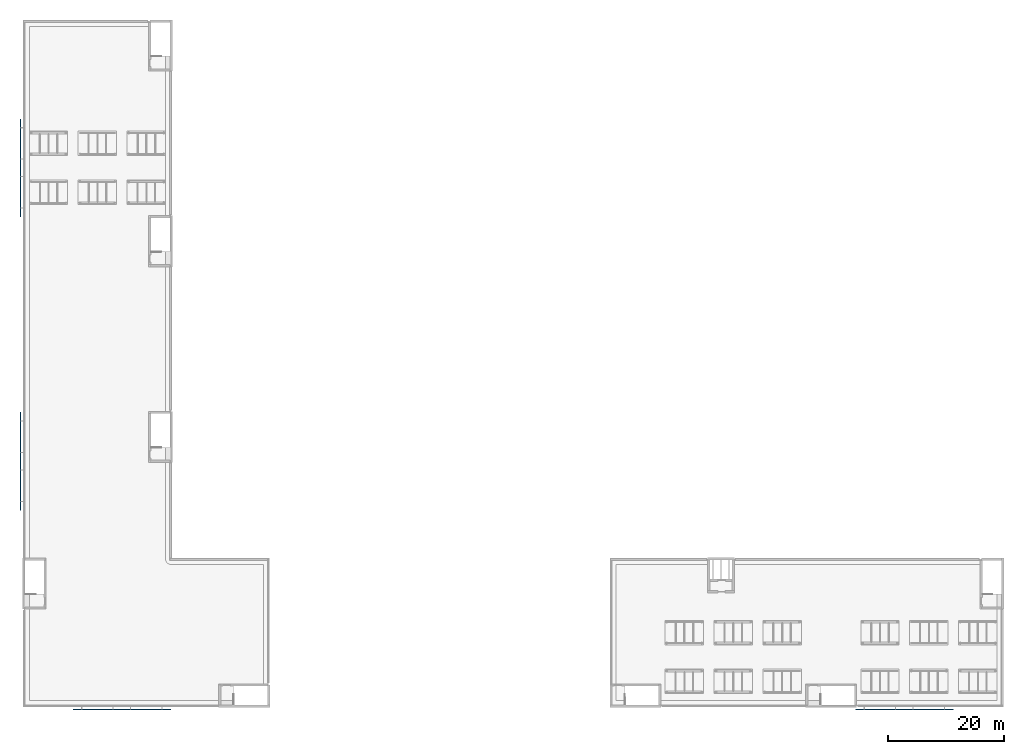
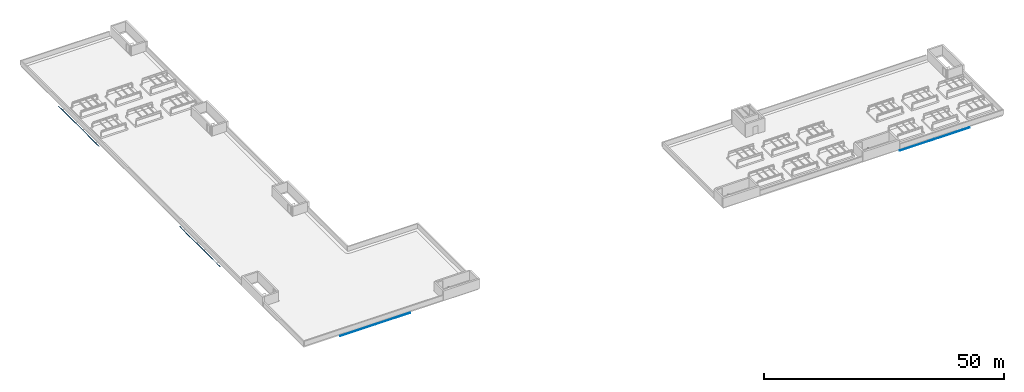
# One storey, part 14 of 18: 8 discrete accessories.
"""IFC4 building model written with IfcOpenShell, lengths in metres."""

from ifc_helpers import new_model, si_unit, direction, frame, origin, origin_2d, place, context, subcontext, project, spatial, hollow_rectangle, extrude, material, material_profile, profile_set, type_object, element, save


model = new_model("IFC4")

# Units and contexts
model_context = context("Model", 3, precision=1e-05, world=origin(), true_north=direction((0.0, 1.0)))
body_context = subcontext(model_context, "Body", "Model", "MODEL_VIEW")
ifc_project = project(units=[si_unit("LENGTHUNIT", "METRE"), si_unit("AREAUNIT", "SQUARE_METRE"), si_unit("VOLUMEUNIT", "CUBIC_METRE"), si_unit("PLANEANGLEUNIT", "RADIAN"), si_unit("MASSUNIT", "GRAM", prefix="KILO")], contexts=[model_context])

# Site, building, storey
site_placement = place(None, origin())
site = spatial("IfcSite", under=ifc_project, at=site_placement, CompositionType="ELEMENT")
building_placement = place(site_placement, origin())
building = spatial("IfcBuilding", under=site, at=building_placement, Name="Yavir Park General Hospital", CompositionType="ELEMENT")
storey_placement = place(building_placement, frame((0.0, 0.0, 29.699951171875)))
storey = spatial("IfcBuildingStorey", under=building, at=storey_placement, Name="RF", CompositionType="ELEMENT", Elevation=29.699951171875)

# Discrete accessories
ifc_material = material(Name="Steel S355", Category="steel")
ifc_material_profile = material_profile(ifc_material, hollow_rectangle(XDim=0.10009765625, YDim=0.06005859375, WallThickness=0.00390625, InnerFilletRadius=0.00390625, OuterFilletRadius=0.008056640625, at=origin_2d()), Name="RHS60x100x4")
ifc_profile_set = profile_set([ifc_material_profile], Name="Steel S355")
discrete_accessory_type = type_object("IfcDiscreteAccessoryType", Name="Screen rail RHS 100 x 60", PredefinedType="BRACKET", material=ifc_profile_set)
discrete_accessory_1_placement = place(storey_placement, frame((8.409912109375, -0.64990234375, -0.030029296875), z_axis=(1.0, 0.0, 0.0), x_axis=(0.0, 1.0, 0.0)))
element("IfcDiscreteAccessory", 1, at=discrete_accessory_1_placement, inside=storey, type_object=discrete_accessory_type, Name="Screen rail S2.5", PredefinedType="BRACKET", context=body_context, shape_type="SweptSolid", body=[
    extrude(hollow_rectangle(XDim=0.10009765625, YDim=0.06005859375, WallThickness=0.00390625, InnerFilletRadius=0.00390625, OuterFilletRadius=0.008056640625, at=origin_2d()), origin(), (0.0, 0.0, 1.0), 8.380126953125),
])
for number, where, z_axis, x_axis, name in (
    (2, (16.81005859375, -0.64990234375, -0.030029296875), (1.0, 0.0, 0.0), (0.0, 1.0, 0.0), "Screen rail S3.5"),
    (3, (142.81005859375, -0.64990234375, -0.030029296875), (1.0, 0.0, 0.0), (0.0, 1.0, 0.0), "Screen rail S18.5"),
):
    element("IfcDiscreteAccessory", number, at=place(storey_placement, frame(where, z_axis=z_axis, x_axis=x_axis)), inside=storey, type_object=discrete_accessory_type, Name=name, PredefinedType="BRACKET", context=body_context, shape_type="SweptSolid", body=[
        extrude(hollow_rectangle(XDim=0.10009765625, YDim=0.06005859375, WallThickness=0.00390625, InnerFilletRadius=0.00390625, OuterFilletRadius=0.008056640625, at=origin_2d()), origin(), (0.0, 0.0, 1.0), 8.3798828125),
    ])
discrete_accessory_2_placement = place(storey_placement, frame((151.2099609375, -0.64990234375, -0.030029296875), z_axis=(1.0, 0.0, 0.0), x_axis=(0.0, 1.0, 0.0)))
element("IfcDiscreteAccessory", 4, at=discrete_accessory_2_placement, inside=storey, type_object=discrete_accessory_type, Name="Screen rail S19.5", PredefinedType="BRACKET", context=body_context, shape_type="SweptSolid", body=[
    extrude(hollow_rectangle(XDim=0.10009765625, YDim=0.06005859375, WallThickness=0.00390625, InnerFilletRadius=0.00390625, OuterFilletRadius=0.008056640625, at=origin_2d()), origin(), (0.0, 0.0, 1.0), 8.380126953125),
])
for number, where, z_axis, x_axis, name in (
    (5, (-0.64990234375, 33.610107421875, -0.030029296875), (0.0, 1.0, 0.0), (-1.0, 0.0, 0.0), "Screen rail W5.5"),
    (6, (-0.64990234375, 42.010009765625, -0.030029296875), (0.0, 1.0, 0.0), (-1.0, 0.0, 0.0), "Screen rail W6.5"),
    (7, (-0.64990234375, 84.010009765625, -0.030029296875), (0.0, 1.0, 0.0), (-1.0, 0.0, 0.0), "Screen rail W11.5"),
):
    element("IfcDiscreteAccessory", number, at=place(storey_placement, frame(where, z_axis=z_axis, x_axis=x_axis)), inside=storey, type_object=discrete_accessory_type, Name=name, PredefinedType="BRACKET", context=body_context, shape_type="SweptSolid", body=[
        extrude(hollow_rectangle(XDim=0.10009765625, YDim=0.06005859375, WallThickness=0.00390625, InnerFilletRadius=0.00390625, OuterFilletRadius=0.008056640625, at=origin_2d()), origin(), (0.0, 0.0, 1.0), 8.3798828125),
    ])
discrete_accessory_3_placement = place(storey_placement, frame((-0.64990234375, 92.409912109375, -0.030029296875), z_axis=(0.0, 1.0, 0.0), x_axis=(-1.0, 0.0, 0.0)))
element("IfcDiscreteAccessory", 8, at=discrete_accessory_3_placement, inside=storey, type_object=discrete_accessory_type, Name="Screen rail W12.5", PredefinedType="BRACKET", context=body_context, shape_type="SweptSolid", body=[
    extrude(hollow_rectangle(XDim=0.10009765625, YDim=0.06005859375, WallThickness=0.00390625, InnerFilletRadius=0.00390625, OuterFilletRadius=0.008056640625, at=origin_2d()), origin(), (0.0, 0.0, 1.0), 8.380126953125),
])

save(model, "model.ifc")
